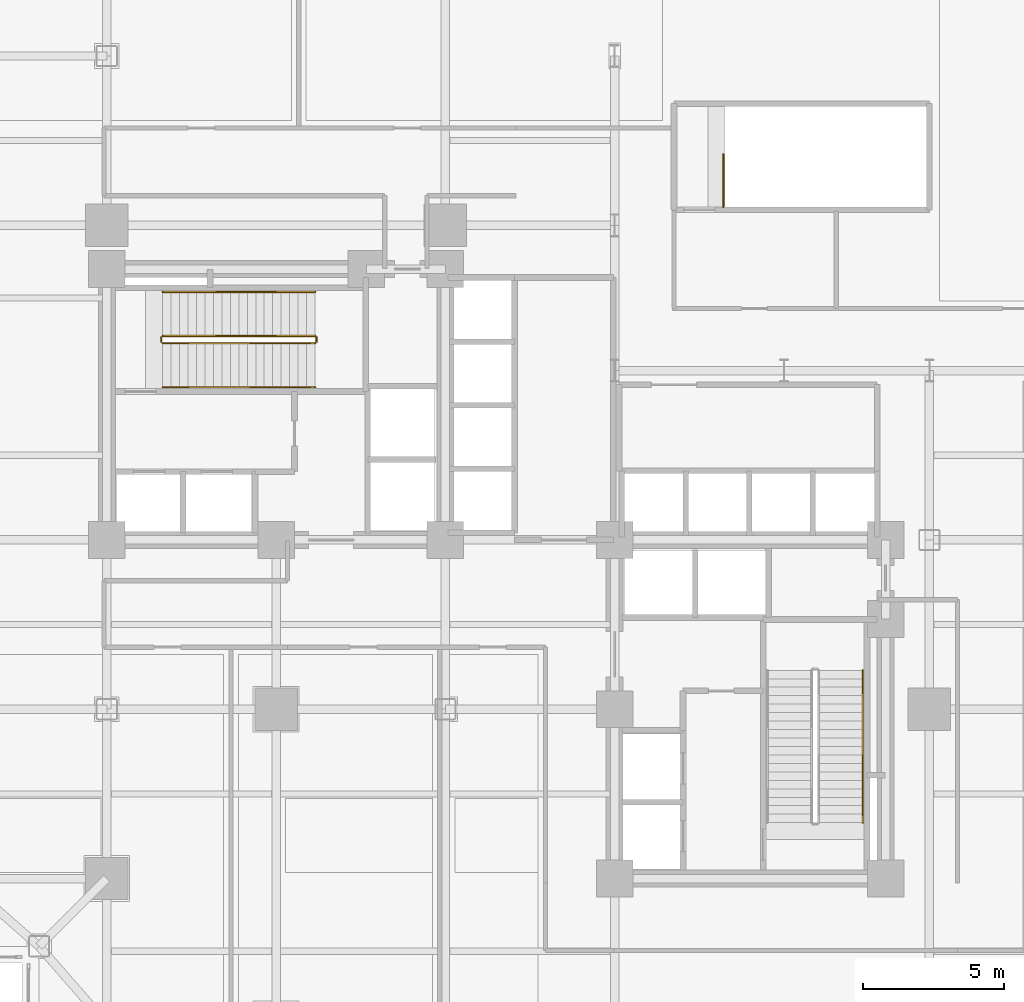
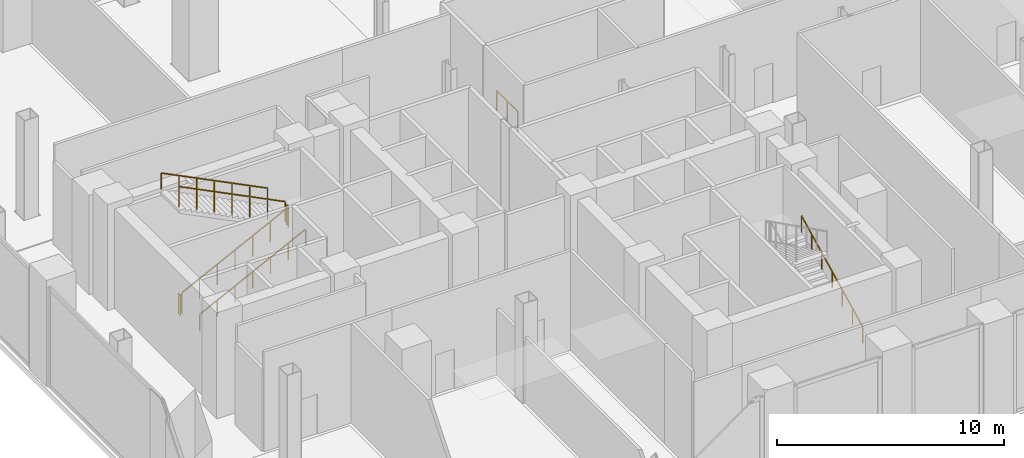
# One storey, part 25 of 27: 8 railings.
"""IFC4 building model written with IfcOpenShell, lengths in metres."""

from ifc_helpers import new_model, si_unit, direction, frame, origin, origin_2d, place, context, subcontext, project, spatial, rectangle, extrude, material, type_object, element, save


model = new_model("IFC4")

# Units and contexts
model_context = context("Model", 3, precision=1e-05, world=origin(), true_north=direction((0.0, 1.0)))
body_context = subcontext(model_context, "Body", "Model", "MODEL_VIEW")
ifc_project = project(units=[si_unit("LENGTHUNIT", "METRE"), si_unit("AREAUNIT", "SQUARE_METRE"), si_unit("VOLUMEUNIT", "CUBIC_METRE"), si_unit("PLANEANGLEUNIT", "RADIAN"), si_unit("MASSUNIT", "GRAM", prefix="KILO"), si_unit("THERMODYNAMICTEMPERATUREUNIT", "KELVIN"), si_unit("POWERUNIT", "WATT")], contexts=[model_context])

# Site, building, storey
site_placement = place(None, origin())
site = spatial("IfcSite", under=ifc_project, at=site_placement, CompositionType="ELEMENT")
building_placement = place(site_placement, origin())
building = spatial("IfcBuilding", under=site, at=building_placement, Name="Svarakhadi Broadcast Tower", CompositionType="ELEMENT")
storey_placement = place(building_placement, frame((0.0, 0.0, 21.89990234375)))
storey = spatial("IfcBuildingStorey", under=building, at=storey_placement, Name="L04", CompositionType="ELEMENT", Elevation=21.89990234375)

# Railings
ifc_material = material(Name="Anodised Bronze Aluminium AA 6063-T6", Category="aluminium")
railing_type_1 = type_object("IfcRailingType", Name="Guard_Stair_GR01", PredefinedType="GUARDRAIL", material=ifc_material)
railing_1_placement = place(storey_placement, frame((7.97998046875, 24.969970703125, 0.150146484375)))
element("IfcRailing", 1, at=railing_1_placement, inside=storey, type_object=railing_type_1, Name="L04 ST-01 stair guard 1", PredefinedType="GUARDRAIL", context=body_context, shape_type="SweptSolid", body=[
    extrude(rectangle(XDim=0.048095703125, YDim=0.048095703125, at=origin_2d()), frame((0.0, 0.0, 1.09619140625), z_axis=(0.894427191, 0.0, 0.4472135955), x_axis=(0.0, 1.0, 0.0)), (0.0, 0.0, 1.0), 6.037353515625),
    extrude(rectangle(XDim=0.0419921875, YDim=0.0419921875, at=origin_2d()), origin(), (0.0, 0.0, 1.0), 1.072021484375),
    extrude(rectangle(XDim=0.0419921875, YDim=0.0419921875, at=origin_2d()), frame((0.89990234375, 0.0, 0.449951171875)), (0.0, 0.0, 1.0), 1.072021484375),
    extrude(rectangle(XDim=0.0419921875, YDim=0.0419921875, at=origin_2d()), frame((1.800048828125, 0.0, 0.89990234375)), (0.0, 0.0, 1.0), 1.072021484375),
    extrude(rectangle(XDim=0.0419921875, YDim=0.0419921875, at=origin_2d()), frame((2.699951171875, 0.0, 1.35009765625)), (0.0, 0.0, 1.0), 1.072021484375),
    extrude(rectangle(XDim=0.0419921875, YDim=0.0419921875, at=origin_2d()), frame((3.599853515625, 0.0, 1.800048828125)), (0.0, 0.0, 1.0), 1.072021484375),
    extrude(rectangle(XDim=0.0419921875, YDim=0.0419921875, at=origin_2d()), frame((4.5, 0.0, 2.25)), (0.0, 0.0, 1.0), 1.072021484375),
    extrude(rectangle(XDim=0.0419921875, YDim=0.0419921875, at=origin_2d()), frame((5.39990234375, 0.0, 2.699951171875)), (0.0, 0.0, 1.0), 1.072021484375),
])
railing_2_placement = place(storey_placement, frame((13.429931640625, 25.02001953125, 2.85009765625)))
element("IfcRailing", 2, at=railing_2_placement, inside=storey, type_object=railing_type_1, Name="L04 ST-01 stair guard 2", PredefinedType="GUARDRAIL", context=body_context, shape_type="SweptSolid", body=[
    extrude(rectangle(XDim=0.048095703125, YDim=0.048095703125, at=origin_2d()), frame((0.0, 0.0, 1.09619140625), z_axis=(0.0, 1.0, 0.0), x_axis=(-1.0, 0.0, 0.0)), (0.0, 0.0, 1.0), 0.159912109375),
    extrude(rectangle(XDim=0.0419921875, YDim=0.0419921875, at=origin_2d()), origin(), (0.0, 0.0, 1.0), 1.072021484375),
    extrude(rectangle(XDim=0.0419921875, YDim=0.0419921875, at=origin_2d()), frame((0.0, 0.159912109375, 0.0)), (0.0, 0.0, 1.0), 1.072021484375),
])
railing_3_placement = place(storey_placement, frame((13.3798828125, 25.22998046875, 3.0)))
element("IfcRailing", 3, at=railing_3_placement, inside=storey, type_object=railing_type_1, Name="L04 ST-01 stair guard 3", PredefinedType="GUARDRAIL", context=body_context, shape_type="SweptSolid", body=[
    extrude(rectangle(XDim=0.048095703125, YDim=0.048095703125, at=origin_2d()), frame((0.0, 0.0, 1.09619140625), z_axis=(-0.894411015155, 0.0, 0.447245945728), x_axis=(0.0, -1.0, 0.0)), (0.0, 0.0, 1.0), 6.037353515625),
    extrude(rectangle(XDim=0.0419921875, YDim=0.0419921875, at=origin_2d()), origin(), (0.0, 0.0, 1.0), 1.072021484375),
    extrude(rectangle(XDim=0.0419921875, YDim=0.0419921875, at=origin_2d()), frame((-0.89990234375, 0.0, 0.449951171875)), (0.0, 0.0, 1.0), 1.072021484375),
    extrude(rectangle(XDim=0.0419921875, YDim=0.0419921875, at=origin_2d()), frame((-1.800048828125, 0.0, 0.900146484375)), (0.0, 0.0, 1.0), 1.072021484375),
    extrude(rectangle(XDim=0.0419921875, YDim=0.0419921875, at=origin_2d()), frame((-2.699951171875, 0.0, 1.35009765625)), (0.0, 0.0, 1.0), 1.072021484375),
    extrude(rectangle(XDim=0.0419921875, YDim=0.0419921875, at=origin_2d()), frame((-3.599853515625, 0.0, 1.800048828125)), (0.0, 0.0, 1.0), 1.072021484375),
    extrude(rectangle(XDim=0.0419921875, YDim=0.0419921875, at=origin_2d()), frame((-4.5, 0.0, 2.250244140625)), (0.0, 0.0, 1.0), 1.072021484375),
    extrude(rectangle(XDim=0.0419921875, YDim=0.0419921875, at=origin_2d()), frame((-5.39990234375, 0.0, 2.7001953125)), (0.0, 0.0, 1.0), 1.072021484375),
])
railing_4_placement = place(storey_placement, frame((7.929931640625, 25.02001953125, 0.0)))
element("IfcRailing", 4, at=railing_4_placement, inside=storey, type_object=railing_type_1, Name="L04 ST-01 stair guard 4", PredefinedType="GUARDRAIL", context=body_context, shape_type="SweptSolid", body=[
    extrude(rectangle(XDim=0.048095703125, YDim=0.048095703125, at=origin_2d()), frame((0.0, 0.0, 1.09619140625), z_axis=(0.0, 1.0, 0.0), x_axis=(-1.0, 0.0, 0.0)), (0.0, 0.0, 1.0), 0.159912109375),
    extrude(rectangle(XDim=0.0419921875, YDim=0.0419921875, at=origin_2d()), origin(), (0.0, 0.0, 1.0), 1.072021484375),
    extrude(rectangle(XDim=0.0419921875, YDim=0.0419921875, at=origin_2d()), frame((0.0, 0.159912109375, 0.0)), (0.0, 0.0, 1.0), 1.072021484375),
])
railing_5_placement = place(storey_placement, frame((27.85009765625, 29.800048828125, 0.0)))
element("IfcRailing", 5, at=railing_5_placement, inside=storey, type_object=railing_type_1, Name="L04 ST-03 top well guard 1", PredefinedType="GUARDRAIL", context=body_context, shape_type="SweptSolid", body=[
    extrude(rectangle(XDim=0.048095703125, YDim=0.048095703125, at=origin_2d()), frame((0.0, 0.0, 1.09619140625), z_axis=(0.0, 1.0, 0.0), x_axis=(-1.0, 0.0, 0.0)), (0.0, 0.0, 1.0), 1.85986328125),
    extrude(rectangle(XDim=0.0419921875, YDim=0.0419921875, at=origin_2d()), origin(), (0.0, 0.0, 1.0), 1.072021484375),
    extrude(rectangle(XDim=0.0419921875, YDim=0.0419921875, at=origin_2d()), frame((0.0, 0.929931640625, 0.0)), (0.0, 0.0, 1.0), 1.072021484375),
    extrude(rectangle(XDim=0.0419921875, YDim=0.0419921875, at=origin_2d()), frame((0.0, 1.85986328125, 0.0)), (0.0, 0.0, 1.0), 1.072021484375),
])
railing_type_2 = type_object("IfcRailingType", Name="Handrail_Stair_HR01", PredefinedType="HANDRAIL", material=ifc_material)
railing_6_placement = place(storey_placement, frame((7.97998046875, 23.409912109375, 0.150146484375)))
element("IfcRailing", 6, at=railing_6_placement, inside=storey, type_object=railing_type_2, Name="L04 ST-01 stair handrail 1", PredefinedType="HANDRAIL", context=body_context, shape_type="SweptSolid", body=[
    extrude(rectangle(XDim=0.048095703125, YDim=0.048095703125, at=origin_2d()), frame((0.0, 0.0, 0.8759765625), z_axis=(0.894427191, 0.0, 0.4472135955), x_axis=(0.0, 1.0, 0.0)), (0.0, 0.0, 1.0), 6.037353515625),
    extrude(rectangle(XDim=0.0419921875, YDim=0.0419921875, at=origin_2d()), origin(), (0.0, 0.0, 1.0), 0.851806640625),
    extrude(rectangle(XDim=0.0419921875, YDim=0.0419921875, at=origin_2d()), frame((0.89990234375, 0.0, 0.449951171875)), (0.0, 0.0, 1.0), 0.851806640625),
    extrude(rectangle(XDim=0.0419921875, YDim=0.0419921875, at=origin_2d()), frame((1.800048828125, 0.0, 0.89990234375)), (0.0, 0.0, 1.0), 0.851806640625),
    extrude(rectangle(XDim=0.0419921875, YDim=0.0419921875, at=origin_2d()), frame((2.699951171875, 0.0, 1.35009765625)), (0.0, 0.0, 1.0), 0.851806640625),
    extrude(rectangle(XDim=0.0419921875, YDim=0.0419921875, at=origin_2d()), frame((3.599853515625, 0.0, 1.800048828125)), (0.0, 0.0, 1.0), 0.851806640625),
    extrude(rectangle(XDim=0.0419921875, YDim=0.0419921875, at=origin_2d()), frame((4.5, 0.0, 2.25)), (0.0, 0.0, 1.0), 0.851806640625),
    extrude(rectangle(XDim=0.0419921875, YDim=0.0419921875, at=origin_2d()), frame((5.39990234375, 0.0, 2.699951171875)), (0.0, 0.0, 1.0), 0.851806640625),
])
railing_7_placement = place(storey_placement, frame((13.3798828125, 26.7900390625, 3.0)))
element("IfcRailing", 7, at=railing_7_placement, inside=storey, type_object=railing_type_2, Name="L04 ST-01 stair handrail 2", PredefinedType="HANDRAIL", context=body_context, shape_type="SweptSolid", body=[
    extrude(rectangle(XDim=0.048095703125, YDim=0.048095703125, at=origin_2d()), frame((0.0, 0.0, 0.8759765625), z_axis=(-0.894411015155, 0.0, 0.447245945728), x_axis=(0.0, -1.0, 0.0)), (0.0, 0.0, 1.0), 6.037353515625),
    extrude(rectangle(XDim=0.0419921875, YDim=0.0419921875, at=origin_2d()), origin(), (0.0, 0.0, 1.0), 0.851806640625),
    extrude(rectangle(XDim=0.0419921875, YDim=0.0419921875, at=origin_2d()), frame((-0.89990234375, 0.0, 0.449951171875)), (0.0, 0.0, 1.0), 0.851806640625),
    extrude(rectangle(XDim=0.0419921875, YDim=0.0419921875, at=origin_2d()), frame((-1.800048828125, 0.0, 0.900146484375)), (0.0, 0.0, 1.0), 0.851806640625),
    extrude(rectangle(XDim=0.0419921875, YDim=0.0419921875, at=origin_2d()), frame((-2.699951171875, 0.0, 1.35009765625)), (0.0, 0.0, 1.0), 0.851806640625),
    extrude(rectangle(XDim=0.0419921875, YDim=0.0419921875, at=origin_2d()), frame((-3.599853515625, 0.0, 1.800048828125)), (0.0, 0.0, 1.0), 0.851806640625),
    extrude(rectangle(XDim=0.0419921875, YDim=0.0419921875, at=origin_2d()), frame((-4.5, 0.0, 2.250244140625)), (0.0, 0.0, 1.0), 0.851806640625),
    extrude(rectangle(XDim=0.0419921875, YDim=0.0419921875, at=origin_2d()), frame((-5.39990234375, 0.0, 2.7001953125)), (0.0, 0.0, 1.0), 0.851806640625),
])
railing_8_placement = place(storey_placement, frame((32.7900390625, 7.97998046875, 0.150146484375)))
element("IfcRailing", 8, at=railing_8_placement, inside=storey, type_object=railing_type_2, Name="L04 ST-02 stair handrail 1", PredefinedType="HANDRAIL", context=body_context, shape_type="SweptSolid", body=[
    extrude(rectangle(XDim=0.048095703125, YDim=0.048095703125, at=origin_2d()), frame((0.0, 0.0, 0.8759765625), z_axis=(0.0, 0.894427191, 0.4472135955), x_axis=(-1.0, 0.0, 0.0)), (0.0, 0.0, 1.0), 6.037353515625),
    extrude(rectangle(XDim=0.0419921875, YDim=0.0419921875, at=origin_2d()), origin(), (0.0, 0.0, 1.0), 0.851806640625),
    extrude(rectangle(XDim=0.0419921875, YDim=0.0419921875, at=origin_2d()), frame((0.0, 0.89990234375, 0.449951171875)), (0.0, 0.0, 1.0), 0.851806640625),
    extrude(rectangle(XDim=0.0419921875, YDim=0.0419921875, at=origin_2d()), frame((0.0, 1.800048828125, 0.89990234375)), (0.0, 0.0, 1.0), 0.851806640625),
    extrude(rectangle(XDim=0.0419921875, YDim=0.0419921875, at=origin_2d()), frame((0.0, 2.699951171875, 1.35009765625)), (0.0, 0.0, 1.0), 0.851806640625),
    extrude(rectangle(XDim=0.0419921875, YDim=0.0419921875, at=origin_2d()), frame((0.0, 3.599853515625, 1.800048828125)), (0.0, 0.0, 1.0), 0.851806640625),
    extrude(rectangle(XDim=0.0419921875, YDim=0.0419921875, at=origin_2d()), frame((0.0, 4.5, 2.25)), (0.0, 0.0, 1.0), 0.851806640625),
    extrude(rectangle(XDim=0.0419921875, YDim=0.0419921875, at=origin_2d()), frame((0.0, 5.39990234375, 2.699951171875)), (0.0, 0.0, 1.0), 0.851806640625),
])

save(model, "model.ifc")
